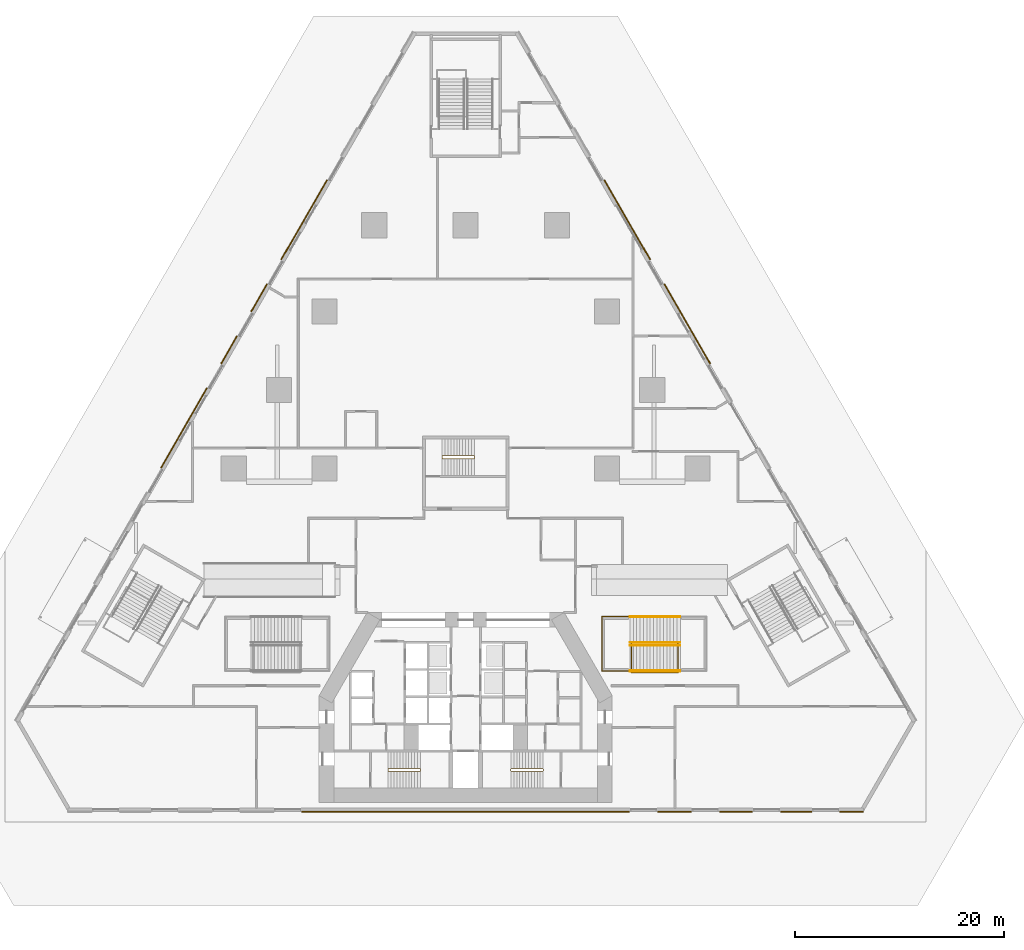
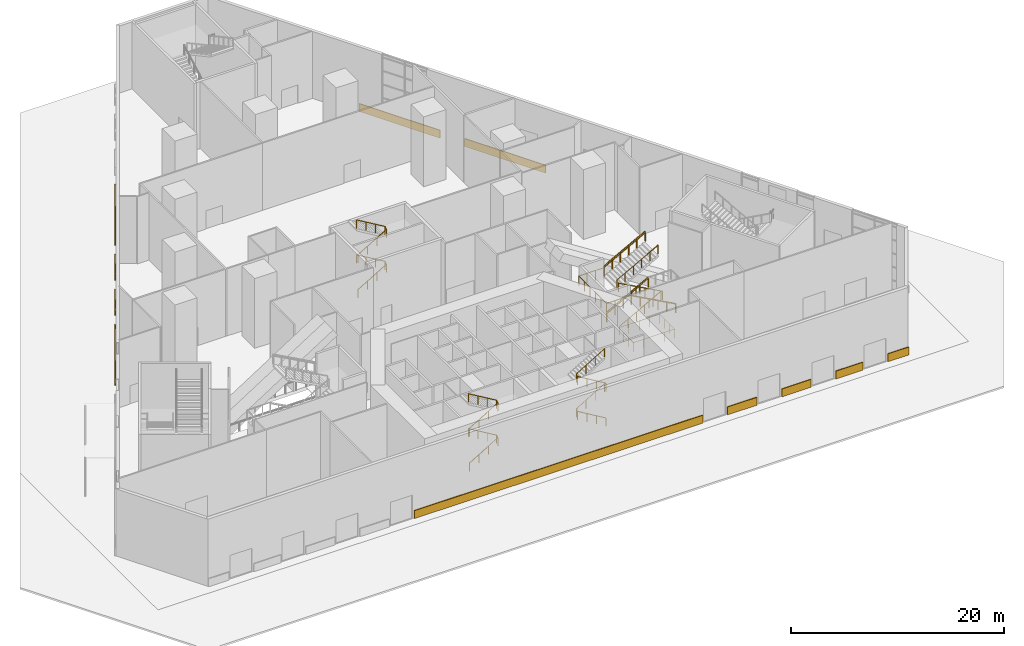
# One storey, part 21 of 24: 14 railings, 11 coverings.
"""IFC4 building model written with IfcOpenShell, lengths in metres."""

from ifc_helpers import new_model, si_unit, direction, frame, origin, origin_2d, place, context, subcontext, project, spatial, polyline, circle, outline, extrude, material, type_object, element, save


model = new_model("IFC4")

# Units and contexts
model_context = context("Model", 3, precision=1e-05, world=origin(), true_north=direction((0.0, 1.0)))
body_context = subcontext(model_context, "Body", "Model", "MODEL_VIEW")
ifc_project = project(units=[si_unit("LENGTHUNIT", "METRE"), si_unit("AREAUNIT", "SQUARE_METRE"), si_unit("VOLUMEUNIT", "CUBIC_METRE"), si_unit("PLANEANGLEUNIT", "RADIAN"), si_unit("MASSUNIT", "GRAM", prefix="KILO")], contexts=[model_context])

# Site, building, storey
site_placement = place(None, origin())
site = spatial("IfcSite", under=ifc_project, at=site_placement, CompositionType="ELEMENT")
building_placement = place(site_placement, origin())
building = spatial("IfcBuilding", under=site, at=building_placement, Name="Fogline Exchange Tower", CompositionType="ELEMENT")
storey_placement = place(building_placement, origin())
storey = spatial("IfcBuildingStorey", under=building, at=storey_placement, Name="L00", CompositionType="ELEMENT", Elevation=0.0)

# Coverings
ifc_material_1 = material(Name="Granite", Category="masonry")
covering_type = type_object("IfcCoveringType", Name="GB1", PredefinedType="CLADDING", material=ifc_material_1)
covering_1_placement = place(storey_placement, origin())
element("IfcCovering", 1, at=covering_1_placement, inside=storey, type_object=covering_type, Name="Granite base course L00 S", PredefinedType="CLADDING", context=body_context, shape_type="SweptSolid", body=[
    extrude(outline(polyline([(-15.64990234375, 0.0), (-15.64990234375, -0.10009765625), (15.64990234375, -0.10009765625), (15.64990234375, 0.0), (-15.64990234375, 0.0)])), origin(), (0.0, 0.0, 1.0), 0.89990234375),
])
covering_2_placement = place(storey_placement, origin())
element("IfcCovering", 2, at=covering_2_placement, inside=storey, type_object=covering_type, Name="Granite base course L00 S", PredefinedType="CLADDING", context=body_context, shape_type="SweptSolid", body=[
    extrude(outline(polyline([(18.35009765625, 0.0), (18.35009765625, -0.10009765625), (21.550048828125, -0.10009765625), (21.550048828125, 0.0), (18.35009765625, 0.0)])), origin(), (0.0, 0.0, 1.0), 0.89990234375),
])
covering_3_placement = place(storey_placement, origin())
element("IfcCovering", 3, at=covering_3_placement, inside=storey, type_object=covering_type, Name="Granite base course L00 S", PredefinedType="CLADDING", context=body_context, shape_type="SweptSolid", body=[
    extrude(outline(polyline([(24.25, 0.0), (24.25, -0.10009765625), (27.39990234375, -0.10009765625), (27.39990234375, 0.0), (24.25, 0.0)])), origin(), (0.0, 0.0, 1.0), 0.89990234375),
])
covering_4_placement = place(storey_placement, origin())
element("IfcCovering", 4, at=covering_4_placement, inside=storey, type_object=covering_type, Name="Granite base course L00 S", PredefinedType="CLADDING", context=body_context, shape_type="SweptSolid", body=[
    extrude(outline(polyline([(30.10009765625, 0.0), (30.10009765625, -0.10009765625), (33.050048828125, -0.10009765625), (33.050048828125, 0.0), (30.10009765625, 0.0)])), origin(), (0.0, 0.0, 1.0), 0.89990234375),
])
covering_5_placement = place(storey_placement, origin())
element("IfcCovering", 5, at=covering_5_placement, inside=storey, type_object=covering_type, Name="Granite base course L00 S", PredefinedType="CLADDING", context=body_context, shape_type="SweptSolid", body=[
    extrude(outline(polyline([(35.75, 0.0), (35.75, -0.10009765625), (38.0, -0.10009765625), (38.0, 0.0), (35.75, 0.0)])), origin(), (0.0, 0.0, 1.0), 0.89990234375),
])
covering_6_placement = place(storey_placement, origin())
element("IfcCovering", 6, at=covering_6_placement, inside=storey, type_object=covering_type, Name="Granite base course L00 E", PredefinedType="CLADDING", context=body_context, shape_type="SweptSolid", body=[
    extrude(outline(polyline([(23.324951171875, 42.73828125), (23.41162109375, 42.788330078125), (19.022216796875, 50.39111328125), (18.935546875, 50.34130859375), (23.324951171875, 42.73828125)])), origin(), (0.0, 0.0, 1.0), 0.89990234375),
])
covering_7_placement = place(storey_placement, origin())
element("IfcCovering", 7, at=covering_7_placement, inside=storey, type_object=covering_type, Name="Granite base course L00 E", PredefinedType="CLADDING", context=body_context, shape_type="SweptSolid", body=[
    extrude(outline(polyline([(17.58544921875, 52.679443359375), (17.672119140625, 52.7294921875), (13.28271484375, 60.332275390625), (13.196044921875, 60.2822265625), (17.58544921875, 52.679443359375)])), origin(), (0.0, 0.0, 1.0), 0.89990234375),
])
covering_8_placement = place(storey_placement, origin())
element("IfcCovering", 8, at=covering_8_placement, inside=storey, type_object=covering_type, Name="Granite base course L00 W", PredefinedType="CLADDING", context=body_context, shape_type="SweptSolid", body=[
    extrude(outline(polyline([(-13.196044921875, 60.2822265625), (-13.28271484375, 60.332275390625), (-17.672119140625, 52.7294921875), (-17.58544921875, 52.679443359375), (-13.196044921875, 60.2822265625)])), origin(), (0.0, 0.0, 1.0), 0.89990234375),
])
covering_9_placement = place(storey_placement, origin())
element("IfcCovering", 9, at=covering_9_placement, inside=storey, type_object=covering_type, Name="Granite base course L00 W", PredefinedType="CLADDING", context=body_context, shape_type="SweptSolid", body=[
    extrude(outline(polyline([(-18.935546875, 50.34130859375), (-19.022216796875, 50.39111328125), (-20.54150390625, 47.75927734375), (-20.455078125, 47.709228515625), (-18.935546875, 50.34130859375)])), origin(), (0.0, 0.0, 1.0), 0.89990234375),
])
covering_10_placement = place(storey_placement, origin())
element("IfcCovering", 10, at=covering_10_placement, inside=storey, type_object=covering_type, Name="Granite base course L00 W", PredefinedType="CLADDING", context=body_context, shape_type="SweptSolid", body=[
    extrude(outline(polyline([(-21.804931640625, 45.37109375), (-21.8916015625, 45.421142578125), (-23.41162109375, 42.788330078125), (-23.324951171875, 42.73828125), (-21.804931640625, 45.37109375)])), origin(), (0.0, 0.0, 1.0), 0.89990234375),
])
covering_11_placement = place(storey_placement, origin())
element("IfcCovering", 11, at=covering_11_placement, inside=storey, type_object=covering_type, Name="Granite base course L00 W", PredefinedType="CLADDING", context=body_context, shape_type="SweptSolid", body=[
    extrude(outline(polyline([(-24.675048828125, 40.400146484375), (-24.76171875, 40.4501953125), (-29.151123046875, 32.84716796875), (-29.064453125, 32.797119140625), (-24.675048828125, 40.400146484375)])), origin(), (0.0, 0.0, 1.0), 0.89990234375),
])

# Railings
ifc_material_2 = material(Name="Steel Q235B", Category="steel")
railing_type_1 = type_object("IfcRailingType", Name="PG1", PredefinedType="GUARDRAIL", material=ifc_material_2)
railing_1_placement = place(storey_placement, frame((15.822021484375, 13.25, 0.0)))
element("IfcRailing", 12, at=railing_1_placement, inside=storey, type_object=railing_type_1, Name="Stair well guard PS4", PredefinedType="GUARDRAIL", context=body_context, shape_type="SweptSolid", body=[
    extrude(circle(Radius=0.02392578125, at=origin_2d()), frame((0.0, 0.0, 1.076171875), z_axis=(0.0, 1.0, 0.0), x_axis=(-1.0, 0.0, 0.0)), (0.0, 0.0, 1.0), 2.800048828125),
    extrude(circle(Radius=0.02392578125, at=origin_2d()), frame((0.0, 2.800048828125, 1.076171875), z_axis=(1.0, 0.0, 0.0), x_axis=(0.0, 1.0, 0.0)), (0.0, 0.0, 1.0), 4.47802734375),
    extrude(circle(Radius=0.02392578125, at=origin_2d()), frame((4.47802734375, 2.800048828125, 1.076171875), z_axis=(0.0, -1.0, 0.0), x_axis=(1.0, 0.0, 0.0)), (0.0, 0.0, 1.0), 2.800048828125),
    extrude(circle(Radius=0.02392578125, at=origin_2d()), frame((4.47802734375, 0.0, 1.076171875), z_axis=(-0.999999405521, 0.001090392984, 0.0), x_axis=(-0.001090392984, -0.999999405521, 0.0)), (0.0, 0.0, 1.0), 4.47802734375),
    extrude(circle(Radius=0.02099609375, at=origin_2d()), origin(), (0.0, 0.0, 1.0), 1.052001953125),
    extrude(circle(Radius=0.02099609375, at=origin_2d()), frame((0.0, 0.933349609375, 0.0)), (0.0, 0.0, 1.0), 1.052001953125),
    extrude(circle(Radius=0.02099609375, at=origin_2d()), frame((0.0, 1.86669921875, 0.0)), (0.0, 0.0, 1.0), 1.052001953125),
    extrude(circle(Radius=0.02099609375, at=origin_2d()), frame((0.0, 2.800048828125, 0.0)), (0.0, 0.0, 1.0), 1.052001953125),
    extrude(circle(Radius=0.02099609375, at=origin_2d()), frame((1.11962890625, 2.800048828125, 0.0)), (0.0, 0.0, 1.0), 1.052001953125),
    extrude(circle(Radius=0.02099609375, at=origin_2d()), frame((2.239013671875, 2.800048828125, 0.0)), (0.0, 0.0, 1.0), 1.052001953125),
    extrude(circle(Radius=0.02099609375, at=origin_2d()), frame((3.3583984375, 2.800048828125, 0.0)), (0.0, 0.0, 1.0), 1.052001953125),
    extrude(circle(Radius=0.02099609375, at=origin_2d()), frame((4.47802734375, 2.800048828125, 0.0)), (0.0, 0.0, 1.0), 1.052001953125),
    extrude(circle(Radius=0.02099609375, at=origin_2d()), frame((4.47802734375, 1.86669921875, 0.0)), (0.0, 0.0, 1.0), 1.052001953125),
    extrude(circle(Radius=0.02099609375, at=origin_2d()), frame((4.47802734375, 0.933349609375, 0.0)), (0.0, 0.0, 1.0), 1.052001953125),
    extrude(circle(Radius=0.02099609375, at=origin_2d()), frame((4.47802734375, 0.0, 0.0)), (0.0, 0.0, 1.0), 1.052001953125),
    extrude(circle(Radius=0.02099609375, at=origin_2d()), frame((3.3583984375, 0.001220703125, 0.0)), (0.0, 0.0, 1.0), 1.052001953125),
    extrude(circle(Radius=0.02099609375, at=origin_2d()), frame((2.239013671875, 0.00244140625, 0.0)), (0.0, 0.0, 1.0), 1.052001953125),
    extrude(circle(Radius=0.02099609375, at=origin_2d()), frame((1.11962890625, 0.003662109375, 0.0)), (0.0, 0.0, 1.0), 1.052001953125),
    extrude(circle(Radius=0.02099609375, at=origin_2d()), frame((0.0, 0.0048828125, 0.0)), (0.0, 0.0, 1.0), 1.052001953125),
])
railing_2_placement = place(storey_placement, frame((16.02001953125, 18.6201171875, 0.173828125)))
element("IfcRailing", 13, at=railing_2_placement, inside=storey, type_object=railing_type_1, Name="Guard PS2", PredefinedType="GUARDRAIL", context=body_context, shape_type="SweptSolid", body=[
    extrude(circle(Radius=0.02392578125, at=origin_2d()), frame((0.0, 0.0, 1.076171875), z_axis=(0.878621015842, 0.0, 0.477519748828), x_axis=(0.0, 1.0, 0.0)), (0.0, 0.0, 1.0), 5.098876953125),
    extrude(circle(Radius=0.02099609375, at=origin_2d()), origin(), (0.0, 0.0, 1.0), 1.052001953125),
    extrude(circle(Radius=0.02099609375, at=origin_2d()), frame((0.89599609375, 0.0, 0.487060546875)), (0.0, 0.0, 1.0), 1.052001953125),
    extrude(circle(Radius=0.02099609375, at=origin_2d()), frame((1.7919921875, 0.0, 0.973876953125)), (0.0, 0.0, 1.0), 1.052001953125),
    extrude(circle(Radius=0.02099609375, at=origin_2d()), frame((2.68798828125, 0.0, 1.4609375)), (0.0, 0.0, 1.0), 1.052001953125),
    extrude(circle(Radius=0.02099609375, at=origin_2d()), frame((3.583984375, 0.0, 1.94775390625)), (0.0, 0.0, 1.0), 1.052001953125),
    extrude(circle(Radius=0.02099609375, at=origin_2d()), frame((4.47998046875, 0.0, 2.434814453125)), (0.0, 0.0, 1.0), 1.052001953125),
])
railing_3_placement = place(storey_placement, frame((20.5, 13.3798828125, 2.78271484375)))
element("IfcRailing", 14, at=railing_3_placement, inside=storey, type_object=railing_type_1, Name="Guard PS2", PredefinedType="GUARDRAIL", context=body_context, shape_type="SweptSolid", body=[
    extrude(circle(Radius=0.02392578125, at=origin_2d()), frame((0.0, 0.0, 1.076171875), z_axis=(-0.878630623466, 0.0, 0.477502070685), x_axis=(0.0, -1.0, 0.0)), (0.0, 0.0, 1.0), 5.463134765625),
    extrude(circle(Radius=0.02099609375, at=origin_2d()), origin(), (0.0, 0.0, 1.0), 1.052001953125),
    extrude(circle(Radius=0.02099609375, at=origin_2d()), frame((-0.9599609375, 0.0, 0.521728515625)), (0.0, 0.0, 1.0), 1.052001953125),
    extrude(circle(Radius=0.02099609375, at=origin_2d()), frame((-1.919921875, 0.0, 1.04345703125)), (0.0, 0.0, 1.0), 1.052001953125),
    extrude(circle(Radius=0.02099609375, at=origin_2d()), frame((-2.880126953125, 0.0, 1.565185546875)), (0.0, 0.0, 1.0), 1.052001953125),
    extrude(circle(Radius=0.02099609375, at=origin_2d()), frame((-3.840087890625, 0.0, 2.0869140625)), (0.0, 0.0, 1.0), 1.052001953125),
    extrude(circle(Radius=0.02099609375, at=origin_2d()), frame((-4.800048828125, 0.0, 2.608642578125)), (0.0, 0.0, 1.0), 1.052001953125),
])
railing_4_placement = place(storey_placement, frame((15.699951171875, 18.6201171875, 5.565185546875)))
element("IfcRailing", 15, at=railing_4_placement, inside=storey, type_object=railing_type_1, Name="Guard PS2", PredefinedType="GUARDRAIL", context=body_context, shape_type="SweptSolid", body=[
    extrude(circle(Radius=0.02392578125, at=origin_2d()), frame((0.0, 0.0, 1.076171875), z_axis=(0.878621015842, 0.0, 0.477519748828), x_axis=(0.0, 1.0, 0.0)), (0.0, 0.0, 1.0), 5.098876953125),
    extrude(circle(Radius=0.02099609375, at=origin_2d()), origin(), (0.0, 0.0, 1.0), 1.052001953125),
    extrude(circle(Radius=0.02099609375, at=origin_2d()), frame((0.89599609375, 0.0, 0.487060546875)), (0.0, 0.0, 1.0), 1.052001953125),
    extrude(circle(Radius=0.02099609375, at=origin_2d()), frame((1.7919921875, 0.0, 0.973876953125)), (0.0, 0.0, 1.0), 1.052001953125),
    extrude(circle(Radius=0.02099609375, at=origin_2d()), frame((2.68798828125, 0.0, 1.4609375)), (0.0, 0.0, 1.0), 1.052001953125),
    extrude(circle(Radius=0.02099609375, at=origin_2d()), frame((3.583984375, 0.0, 1.94775390625)), (0.0, 0.0, 1.0), 1.052001953125),
    extrude(circle(Radius=0.02099609375, at=origin_2d()), frame((4.47998046875, 0.0, 2.434814453125)), (0.0, 0.0, 1.0), 1.052001953125),
])
railing_5_placement = place(storey_placement, frame((15.699951171875, 13.39990234375, 5.391357421875)))
element("IfcRailing", 16, at=railing_5_placement, inside=storey, type_object=railing_type_1, Name="Landing guard PS2", PredefinedType="GUARDRAIL", context=body_context, shape_type="SweptSolid", body=[
    extrude(circle(Radius=0.02392578125, at=origin_2d()), frame((0.0, 0.0, 1.076171875), z_axis=(-1.0, 0.0, 0.0), x_axis=(0.0, -1.0, 0.0)), (0.0, 0.0, 1.0), 2.699951171875),
    extrude(circle(Radius=0.02392578125, at=origin_2d()), frame((-2.699951171875, 0.0, 1.076171875), z_axis=(0.0, 1.0, 0.0), x_axis=(-1.0, 0.0, 0.0)), (0.0, 0.0, 1.0), 5.2001953125),
    extrude(circle(Radius=0.02392578125, at=origin_2d()), frame((-2.699951171875, 5.2001953125, 1.076171875), z_axis=(1.0, 0.0, 0.0), x_axis=(0.0, 1.0, 0.0)), (0.0, 0.0, 1.0), 2.699951171875),
    extrude(circle(Radius=0.02099609375, at=origin_2d()), origin(), (0.0, 0.0, 1.0), 1.052001953125),
    extrude(circle(Radius=0.02099609375, at=origin_2d()), frame((-0.89990234375, 0.0, 0.0)), (0.0, 0.0, 1.0), 1.052001953125),
    extrude(circle(Radius=0.02099609375, at=origin_2d()), frame((-1.800048828125, 0.0, 0.0)), (0.0, 0.0, 1.0), 1.052001953125),
    extrude(circle(Radius=0.02099609375, at=origin_2d()), frame((-2.699951171875, 0.0, 0.0)), (0.0, 0.0, 1.0), 1.052001953125),
    extrude(circle(Radius=0.02099609375, at=origin_2d()), frame((-2.699951171875, 1.0400390625, 0.0)), (0.0, 0.0, 1.0), 1.052001953125),
    extrude(circle(Radius=0.02099609375, at=origin_2d()), frame((-2.699951171875, 2.080078125, 0.0)), (0.0, 0.0, 1.0), 1.052001953125),
    extrude(circle(Radius=0.02099609375, at=origin_2d()), frame((-2.699951171875, 3.1201171875, 0.0)), (0.0, 0.0, 1.0), 1.052001953125),
    extrude(circle(Radius=0.02099609375, at=origin_2d()), frame((-2.699951171875, 4.16015625, 0.0)), (0.0, 0.0, 1.0), 1.052001953125),
    extrude(circle(Radius=0.02099609375, at=origin_2d()), frame((-2.699951171875, 5.2001953125, 0.0)), (0.0, 0.0, 1.0), 1.052001953125),
    extrude(circle(Radius=0.02099609375, at=origin_2d()), frame((-1.800048828125, 5.2001953125, 0.0)), (0.0, 0.0, 1.0), 1.052001953125),
    extrude(circle(Radius=0.02099609375, at=origin_2d()), frame((-0.89990234375, 5.2001953125, 0.0)), (0.0, 0.0, 1.0), 1.052001953125),
    extrude(circle(Radius=0.02099609375, at=origin_2d()), frame((0.0, 5.2001953125, 0.0)), (0.0, 0.0, 1.0), 1.052001953125),
])
railing_type_2 = type_object("IfcRailingType", Name="PH1", PredefinedType="HANDRAIL", material=ifc_material_2)
for number, where, name in (
    (17, (16.02001953125, 16.14990234375, 0.173828125), "Handrail PS2"),
    (18, (16.02001953125, 18.550048828125, 0.173828125), "Handrail PS2"),
):
    element("IfcRailing", number, at=place(storey_placement, frame(where)), inside=storey, type_object=railing_type_2, Name=name, PredefinedType="HANDRAIL", context=body_context, shape_type="SweptSolid", body=[
        extrude(circle(Radius=0.02392578125, at=origin_2d()), frame((0.0, 0.0, 0.97607421875), z_axis=(0.878621015842, 0.0, 0.477519748828), x_axis=(0.0, 1.0, 0.0)), (0.0, 0.0, 1.0), 5.098876953125),
        extrude(circle(Radius=0.02099609375, at=origin_2d()), origin(), (0.0, 0.0, 1.0), 0.951904296875),
        extrude(circle(Radius=0.02099609375, at=origin_2d()), frame((0.89599609375, 0.0, 0.487060546875)), (0.0, 0.0, 1.0), 0.951904296875),
        extrude(circle(Radius=0.02099609375, at=origin_2d()), frame((1.7919921875, 0.0, 0.973876953125)), (0.0, 0.0, 1.0), 0.951904296875),
        extrude(circle(Radius=0.02099609375, at=origin_2d()), frame((2.68798828125, 0.0, 1.4609375)), (0.0, 0.0, 1.0), 0.951904296875),
        extrude(circle(Radius=0.02099609375, at=origin_2d()), frame((3.583984375, 0.0, 1.94775390625)), (0.0, 0.0, 1.0), 0.951904296875),
        extrude(circle(Radius=0.02099609375, at=origin_2d()), frame((4.47998046875, 0.0, 2.434814453125)), (0.0, 0.0, 1.0), 0.951904296875),
    ])
for number, where, name in (
    (19, (20.5, 15.85009765625, 2.78271484375), "Handrail PS2"),
    (20, (20.5, 13.449951171875, 2.78271484375), "Handrail PS2"),
):
    element("IfcRailing", number, at=place(storey_placement, frame(where)), inside=storey, type_object=railing_type_2, Name=name, PredefinedType="HANDRAIL", context=body_context, shape_type="SweptSolid", body=[
        extrude(circle(Radius=0.02392578125, at=origin_2d()), frame((0.0, 0.0, 0.97607421875), z_axis=(-0.878630623466, 0.0, 0.477502070685), x_axis=(0.0, -1.0, 0.0)), (0.0, 0.0, 1.0), 5.463134765625),
        extrude(circle(Radius=0.02099609375, at=origin_2d()), origin(), (0.0, 0.0, 1.0), 0.951904296875),
        extrude(circle(Radius=0.02099609375, at=origin_2d()), frame((-0.9599609375, 0.0, 0.521728515625)), (0.0, 0.0, 1.0), 0.951904296875),
        extrude(circle(Radius=0.02099609375, at=origin_2d()), frame((-1.919921875, 0.0, 1.04345703125)), (0.0, 0.0, 1.0), 0.951904296875),
        extrude(circle(Radius=0.02099609375, at=origin_2d()), frame((-2.880126953125, 0.0, 1.565185546875)), (0.0, 0.0, 1.0), 0.951904296875),
        extrude(circle(Radius=0.02099609375, at=origin_2d()), frame((-3.840087890625, 0.0, 2.0869140625)), (0.0, 0.0, 1.0), 0.951904296875),
        extrude(circle(Radius=0.02099609375, at=origin_2d()), frame((-4.800048828125, 0.0, 2.608642578125)), (0.0, 0.0, 1.0), 0.951904296875),
    ])
for number, where, name in (
    (21, (15.699951171875, 16.14990234375, 5.565185546875), "Handrail PS2"),
    (22, (15.699951171875, 18.550048828125, 5.565185546875), "Handrail PS2"),
):
    element("IfcRailing", number, at=place(storey_placement, frame(where)), inside=storey, type_object=railing_type_2, Name=name, PredefinedType="HANDRAIL", context=body_context, shape_type="SweptSolid", body=[
        extrude(circle(Radius=0.02392578125, at=origin_2d()), frame((0.0, 0.0, 0.97607421875), z_axis=(0.878621015842, 0.0, 0.477519748828), x_axis=(0.0, 1.0, 0.0)), (0.0, 0.0, 1.0), 5.098876953125),
        extrude(circle(Radius=0.02099609375, at=origin_2d()), origin(), (0.0, 0.0, 1.0), 0.951904296875),
        extrude(circle(Radius=0.02099609375, at=origin_2d()), frame((0.89599609375, 0.0, 0.487060546875)), (0.0, 0.0, 1.0), 0.951904296875),
        extrude(circle(Radius=0.02099609375, at=origin_2d()), frame((1.7919921875, 0.0, 0.973876953125)), (0.0, 0.0, 1.0), 0.951904296875),
        extrude(circle(Radius=0.02099609375, at=origin_2d()), frame((2.68798828125, 0.0, 1.4609375)), (0.0, 0.0, 1.0), 0.951904296875),
        extrude(circle(Radius=0.02099609375, at=origin_2d()), frame((3.583984375, 0.0, 1.94775390625)), (0.0, 0.0, 1.0), 0.951904296875),
        extrude(circle(Radius=0.02099609375, at=origin_2d()), frame((4.47998046875, 0.0, 2.434814453125)), (0.0, 0.0, 1.0), 0.951904296875),
    ])
railing_type_3 = type_object("IfcRailingType", Name="RL-HR", PredefinedType="HANDRAIL", material=ifc_material_2)
railing_6_placement = place(storey_placement, frame((-7.39990234375, 3.85009765625, 0.166748046875)))
element("IfcRailing", 23, at=railing_6_placement, inside=storey, type_object=railing_type_3, Name="Handrail ST1", PredefinedType="HANDRAIL", context=body_context, shape_type="SweptSolid", body=[
    extrude(circle(Radius=0.02392578125, at=origin_2d()), frame((0.0, 0.0, 0.92578125), z_axis=(0.859290745958, 0.0, 0.51148745235), x_axis=(0.0, 1.0, 0.0)), (0.0, 0.0, 1.0), 3.584228515625),
    extrude(circle(Radius=0.02392578125, at=origin_2d()), frame((3.079833984375, 0.0, 2.75927734375), z_axis=(0.0, 0.767990643491, 0.640461061666), x_axis=(-1.0, 0.0, 0.0)), (0.0, 0.0, 1.0), 0.26025390625),
    extrude(circle(Radius=0.02392578125, at=origin_2d()), frame((3.079833984375, 0.199951171875, 2.92578125), z_axis=(-0.859290745958, 0.0, 0.51148745235), x_axis=(0.0, -1.0, 0.0)), (0.0, 0.0, 1.0), 3.584228515625),
    extrude(circle(Radius=0.02392578125, at=origin_2d()), frame((0.0, 0.199951171875, 4.75927734375), z_axis=(0.0, -0.767990643491, 0.640461061666), x_axis=(1.0, 0.0, 0.0)), (0.0, 0.0, 1.0), 0.26025390625),
    extrude(circle(Radius=0.02392578125, at=origin_2d()), frame((0.0, 0.0, 4.92578125), z_axis=(0.859290745958, 0.0, 0.51148745235), x_axis=(0.0, 1.0, 0.0)), (0.0, 0.0, 1.0), 3.584228515625),
    extrude(circle(Radius=0.02392578125, at=origin_2d()), frame((3.079833984375, 0.0, 6.75927734375), z_axis=(0.0, 0.767990643491, 0.640461061666), x_axis=(-1.0, 0.0, 0.0)), (0.0, 0.0, 1.0), 0.26025390625),
    extrude(circle(Radius=0.02392578125, at=origin_2d()), frame((3.079833984375, 0.199951171875, 6.92578125), z_axis=(-0.859290745958, 0.0, 0.51148745235), x_axis=(0.0, -1.0, 0.0)), (0.0, 0.0, 1.0), 3.584228515625),
    extrude(circle(Radius=0.02099609375, at=origin_2d()), origin(), (0.0, 0.0, 1.0), 0.90185546875),
    extrude(circle(Radius=0.02099609375, at=origin_2d()), frame((1.026611328125, 0.0, 0.611083984375)), (0.0, 0.0, 1.0), 0.90185546875),
    extrude(circle(Radius=0.02099609375, at=origin_2d()), frame((2.05322265625, 0.0, 1.22216796875)), (0.0, 0.0, 1.0), 0.90185546875),
    extrude(circle(Radius=0.02099609375, at=origin_2d()), frame((3.079833984375, 0.0, 1.833251953125)), (0.0, 0.0, 1.0), 0.90185546875),
    extrude(circle(Radius=0.02099609375, at=origin_2d()), frame((3.079833984375, 0.199951171875, 2.0)), (0.0, 0.0, 1.0), 0.90185546875),
    extrude(circle(Radius=0.02099609375, at=origin_2d()), frame((2.05322265625, 0.199951171875, 2.611083984375)), (0.0, 0.0, 1.0), 0.90185546875),
    extrude(circle(Radius=0.02099609375, at=origin_2d()), frame((1.026611328125, 0.199951171875, 3.22216796875)), (0.0, 0.0, 1.0), 0.90185546875),
    extrude(circle(Radius=0.02099609375, at=origin_2d()), frame((0.0, 0.199951171875, 3.833251953125)), (0.0, 0.0, 1.0), 0.90185546875),
    extrude(circle(Radius=0.02099609375, at=origin_2d()), frame((0.0, 0.0, 4.0)), (0.0, 0.0, 1.0), 0.90185546875),
    extrude(circle(Radius=0.02099609375, at=origin_2d()), frame((1.026611328125, 0.0, 4.611083984375)), (0.0, 0.0, 1.0), 0.90185546875),
    extrude(circle(Radius=0.02099609375, at=origin_2d()), frame((2.05322265625, 0.0, 5.22216796875)), (0.0, 0.0, 1.0), 0.90185546875),
    extrude(circle(Radius=0.02099609375, at=origin_2d()), frame((3.079833984375, 0.0, 5.833251953125)), (0.0, 0.0, 1.0), 0.90185546875),
    extrude(circle(Radius=0.02099609375, at=origin_2d()), frame((3.079833984375, 0.199951171875, 6.0)), (0.0, 0.0, 1.0), 0.90185546875),
    extrude(circle(Radius=0.02099609375, at=origin_2d()), frame((2.05322265625, 0.199951171875, 6.611083984375)), (0.0, 0.0, 1.0), 0.90185546875),
    extrude(circle(Radius=0.02099609375, at=origin_2d()), frame((1.026611328125, 0.199951171875, 7.22216796875)), (0.0, 0.0, 1.0), 0.90185546875),
    extrude(circle(Radius=0.02099609375, at=origin_2d()), frame((0.0, 0.199951171875, 7.833251953125)), (0.0, 0.0, 1.0), 0.90185546875),
])
railing_7_placement = place(storey_placement, frame((7.39990234375, 3.85009765625, 0.166748046875)))
element("IfcRailing", 24, at=railing_7_placement, inside=storey, type_object=railing_type_3, Name="Handrail ST2", PredefinedType="HANDRAIL", context=body_context, shape_type="SweptSolid", body=[
    extrude(circle(Radius=0.02392578125, at=origin_2d()), frame((0.0, 0.0, 0.92578125), z_axis=(-0.859290745958, 0.0, 0.51148745235), x_axis=(0.0, -1.0, 0.0)), (0.0, 0.0, 1.0), 3.584228515625),
    extrude(circle(Radius=0.02392578125, at=origin_2d()), frame((-3.079833984375, 0.0, 2.75927734375), z_axis=(0.0, 0.767990643491, 0.640461061666), x_axis=(-1.0, 0.0, 0.0)), (0.0, 0.0, 1.0), 0.26025390625),
    extrude(circle(Radius=0.02392578125, at=origin_2d()), frame((-3.079833984375, 0.199951171875, 2.92578125), z_axis=(0.859290745958, 0.0, 0.51148745235), x_axis=(0.0, 1.0, 0.0)), (0.0, 0.0, 1.0), 3.584228515625),
    extrude(circle(Radius=0.02392578125, at=origin_2d()), frame((0.0, 0.199951171875, 4.75927734375), z_axis=(0.0, -0.767990643491, 0.640461061666), x_axis=(1.0, 0.0, 0.0)), (0.0, 0.0, 1.0), 0.26025390625),
    extrude(circle(Radius=0.02392578125, at=origin_2d()), frame((0.0, 0.0, 4.92578125), z_axis=(-0.859290745958, 0.0, 0.51148745235), x_axis=(0.0, -1.0, 0.0)), (0.0, 0.0, 1.0), 3.584228515625),
    extrude(circle(Radius=0.02392578125, at=origin_2d()), frame((-3.079833984375, 0.0, 6.75927734375), z_axis=(0.0, 0.767990643491, 0.640461061666), x_axis=(-1.0, 0.0, 0.0)), (0.0, 0.0, 1.0), 0.26025390625),
    extrude(circle(Radius=0.02392578125, at=origin_2d()), frame((-3.079833984375, 0.199951171875, 6.92578125), z_axis=(0.859290745958, 0.0, 0.51148745235), x_axis=(0.0, 1.0, 0.0)), (0.0, 0.0, 1.0), 3.584228515625),
    extrude(circle(Radius=0.02099609375, at=origin_2d()), origin(), (0.0, 0.0, 1.0), 0.90185546875),
    extrude(circle(Radius=0.02099609375, at=origin_2d()), frame((-1.026611328125, 0.0, 0.611083984375)), (0.0, 0.0, 1.0), 0.90185546875),
    extrude(circle(Radius=0.02099609375, at=origin_2d()), frame((-2.05322265625, 0.0, 1.22216796875)), (0.0, 0.0, 1.0), 0.90185546875),
    extrude(circle(Radius=0.02099609375, at=origin_2d()), frame((-3.079833984375, 0.0, 1.833251953125)), (0.0, 0.0, 1.0), 0.90185546875),
    extrude(circle(Radius=0.02099609375, at=origin_2d()), frame((-3.079833984375, 0.199951171875, 2.0)), (0.0, 0.0, 1.0), 0.90185546875),
    extrude(circle(Radius=0.02099609375, at=origin_2d()), frame((-2.05322265625, 0.199951171875, 2.611083984375)), (0.0, 0.0, 1.0), 0.90185546875),
    extrude(circle(Radius=0.02099609375, at=origin_2d()), frame((-1.026611328125, 0.199951171875, 3.22216796875)), (0.0, 0.0, 1.0), 0.90185546875),
    extrude(circle(Radius=0.02099609375, at=origin_2d()), frame((0.0, 0.199951171875, 3.833251953125)), (0.0, 0.0, 1.0), 0.90185546875),
    extrude(circle(Radius=0.02099609375, at=origin_2d()), frame((0.0, 0.0, 4.0)), (0.0, 0.0, 1.0), 0.90185546875),
    extrude(circle(Radius=0.02099609375, at=origin_2d()), frame((-1.026611328125, 0.0, 4.611083984375)), (0.0, 0.0, 1.0), 0.90185546875),
    extrude(circle(Radius=0.02099609375, at=origin_2d()), frame((-2.05322265625, 0.0, 5.22216796875)), (0.0, 0.0, 1.0), 0.90185546875),
    extrude(circle(Radius=0.02099609375, at=origin_2d()), frame((-3.079833984375, 0.0, 5.833251953125)), (0.0, 0.0, 1.0), 0.90185546875),
    extrude(circle(Radius=0.02099609375, at=origin_2d()), frame((-3.079833984375, 0.199951171875, 6.0)), (0.0, 0.0, 1.0), 0.90185546875),
    extrude(circle(Radius=0.02099609375, at=origin_2d()), frame((-2.05322265625, 0.199951171875, 6.611083984375)), (0.0, 0.0, 1.0), 0.90185546875),
    extrude(circle(Radius=0.02099609375, at=origin_2d()), frame((-1.026611328125, 0.199951171875, 7.22216796875)), (0.0, 0.0, 1.0), 0.90185546875),
    extrude(circle(Radius=0.02099609375, at=origin_2d()), frame((0.0, 0.199951171875, 7.833251953125)), (0.0, 0.0, 1.0), 0.90185546875),
])
railing_8_placement = place(storey_placement, frame((-2.25, 33.70703125, 0.166748046875)))
element("IfcRailing", 25, at=railing_8_placement, inside=storey, type_object=railing_type_3, Name="Handrail ST3", PredefinedType="HANDRAIL", context=body_context, shape_type="SweptSolid", body=[
    extrude(circle(Radius=0.02392578125, at=origin_2d()), frame((0.0, 0.0, 0.92578125), z_axis=(0.859308565015, 0.0, 0.511457515432), x_axis=(0.0, 1.0, 0.0)), (0.0, 0.0, 1.0), 3.58447265625),
    extrude(circle(Radius=0.02392578125, at=origin_2d()), frame((3.080078125, 0.0, 2.75927734375), z_axis=(0.0, 0.831925284441, 0.554887665306), x_axis=(-1.0, 0.0, 0.0)), (0.0, 0.0, 1.0), 0.300537109375),
    extrude(circle(Radius=0.02392578125, at=origin_2d()), frame((3.080078125, 0.25, 2.92578125), z_axis=(-0.859308565015, 0.0, 0.511457515432), x_axis=(0.0, -1.0, 0.0)), (0.0, 0.0, 1.0), 3.58447265625),
    extrude(circle(Radius=0.02392578125, at=origin_2d()), frame((0.0, 0.25, 4.75927734375), z_axis=(0.0, -0.831925284441, 0.554887665306), x_axis=(1.0, 0.0, 0.0)), (0.0, 0.0, 1.0), 0.300537109375),
    extrude(circle(Radius=0.02392578125, at=origin_2d()), frame((0.0, 0.0, 4.92578125), z_axis=(0.859308565015, 0.0, 0.511457515432), x_axis=(0.0, 1.0, 0.0)), (0.0, 0.0, 1.0), 3.58447265625),
    extrude(circle(Radius=0.02392578125, at=origin_2d()), frame((3.080078125, 0.0, 6.75927734375), z_axis=(0.0, 0.831925284441, 0.554887665306), x_axis=(-1.0, 0.0, 0.0)), (0.0, 0.0, 1.0), 0.300537109375),
    extrude(circle(Radius=0.02392578125, at=origin_2d()), frame((3.080078125, 0.25, 6.92578125), z_axis=(-0.859308565015, 0.0, 0.511457515432), x_axis=(0.0, -1.0, 0.0)), (0.0, 0.0, 1.0), 3.58447265625),
    extrude(circle(Radius=0.02099609375, at=origin_2d()), origin(), (0.0, 0.0, 1.0), 0.90185546875),
    extrude(circle(Radius=0.02099609375, at=origin_2d()), frame((1.026611328125, 0.0, 0.611083984375)), (0.0, 0.0, 1.0), 0.90185546875),
    extrude(circle(Radius=0.02099609375, at=origin_2d()), frame((2.053466796875, 0.0, 1.22216796875)), (0.0, 0.0, 1.0), 0.90185546875),
    extrude(circle(Radius=0.02099609375, at=origin_2d()), frame((3.080078125, 0.0, 1.833251953125)), (0.0, 0.0, 1.0), 0.90185546875),
    extrude(circle(Radius=0.02099609375, at=origin_2d()), frame((3.080078125, 0.25, 2.0)), (0.0, 0.0, 1.0), 0.90185546875),
    extrude(circle(Radius=0.02099609375, at=origin_2d()), frame((2.053466796875, 0.25, 2.611083984375)), (0.0, 0.0, 1.0), 0.90185546875),
    extrude(circle(Radius=0.02099609375, at=origin_2d()), frame((1.026611328125, 0.25, 3.22216796875)), (0.0, 0.0, 1.0), 0.90185546875),
    extrude(circle(Radius=0.02099609375, at=origin_2d()), frame((0.0, 0.25, 3.833251953125)), (0.0, 0.0, 1.0), 0.90185546875),
    extrude(circle(Radius=0.02099609375, at=origin_2d()), frame((0.0, 0.0, 4.0)), (0.0, 0.0, 1.0), 0.90185546875),
    extrude(circle(Radius=0.02099609375, at=origin_2d()), frame((1.026611328125, 0.0, 4.611083984375)), (0.0, 0.0, 1.0), 0.90185546875),
    extrude(circle(Radius=0.02099609375, at=origin_2d()), frame((2.053466796875, 0.0, 5.22216796875)), (0.0, 0.0, 1.0), 0.90185546875),
    extrude(circle(Radius=0.02099609375, at=origin_2d()), frame((3.080078125, 0.0, 5.833251953125)), (0.0, 0.0, 1.0), 0.90185546875),
    extrude(circle(Radius=0.02099609375, at=origin_2d()), frame((3.080078125, 0.25, 6.0)), (0.0, 0.0, 1.0), 0.90185546875),
    extrude(circle(Radius=0.02099609375, at=origin_2d()), frame((2.053466796875, 0.25, 6.611083984375)), (0.0, 0.0, 1.0), 0.90185546875),
    extrude(circle(Radius=0.02099609375, at=origin_2d()), frame((1.026611328125, 0.25, 7.22216796875)), (0.0, 0.0, 1.0), 0.90185546875),
    extrude(circle(Radius=0.02099609375, at=origin_2d()), frame((0.0, 0.25, 7.833251953125)), (0.0, 0.0, 1.0), 0.90185546875),
])

save(model, "model.ifc")
